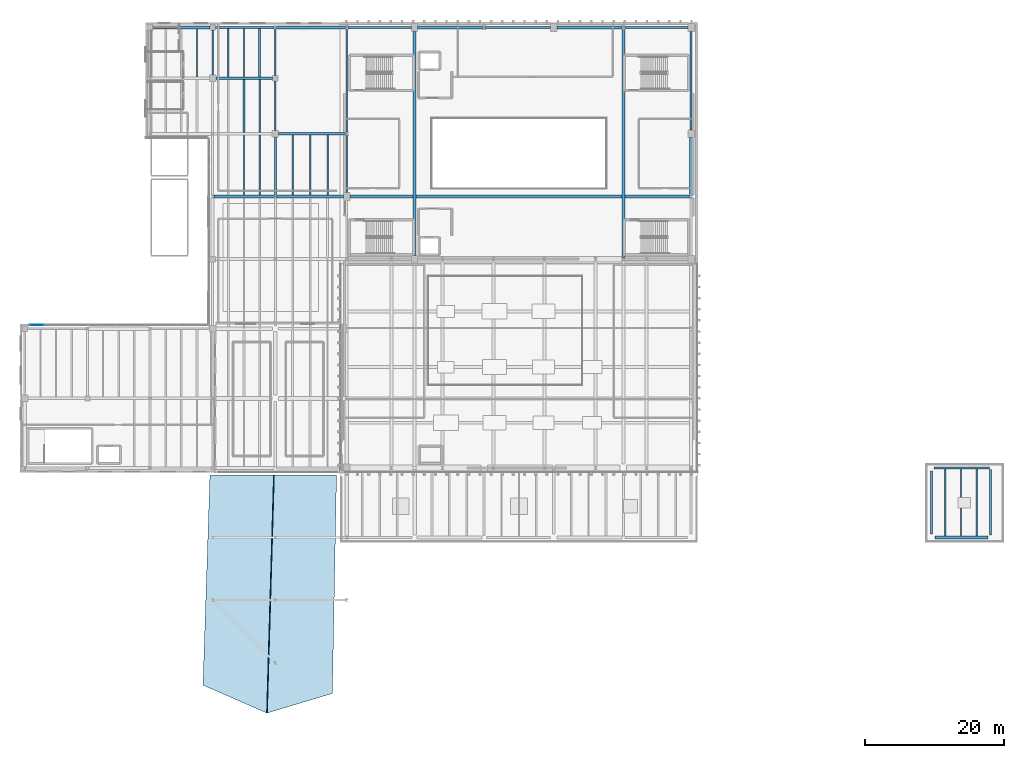
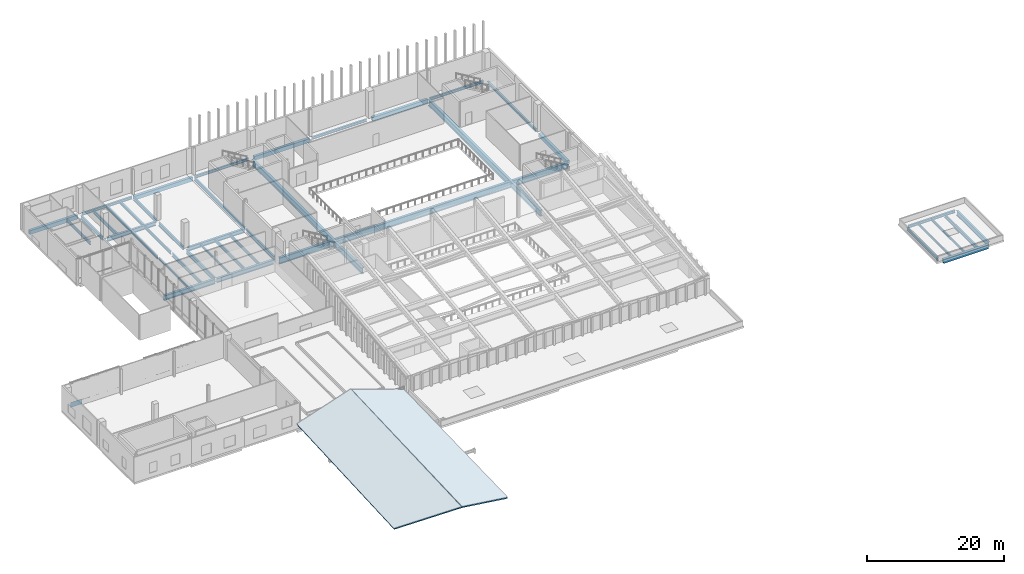
# One storey, part 15 of 30: 41 beams, 2 slabs, 1 plate, 1 element without a shape of its own.
"""IFC4 building model written with IfcOpenShell, lengths in metres."""

from ifc_helpers import new_model, si_unit, direction, frame, origin, origin_2d, place, context, subcontext, project, spatial, polyline, rectangle, i_section, outline, extrude, material, layer, layer_set, material_profile, profile_set, type_object, element, aggregate, save


model = new_model("IFC4")

# Units and contexts
model_context = context("Model", 3, precision=1e-05, world=origin(), true_north=direction((0.0, 1.0)))
body_context = subcontext(model_context, "Body", "Model", "MODEL_VIEW")
ifc_project = project(units=[si_unit("LENGTHUNIT", "METRE"), si_unit("AREAUNIT", "SQUARE_METRE"), si_unit("VOLUMEUNIT", "CUBIC_METRE"), si_unit("PLANEANGLEUNIT", "RADIAN"), si_unit("MASSUNIT", "GRAM", prefix="KILO")], contexts=[model_context])

# Site, building, storey
site_placement = place(None, origin())
site = spatial("IfcSite", under=ifc_project, at=site_placement, CompositionType="ELEMENT")
building_placement = place(site_placement, origin())
building = spatial("IfcBuilding", under=site, at=building_placement, Name="Trimount Lyric Opera House", CompositionType="ELEMENT")
storey_placement = place(building_placement, frame((0.0, 0.0, 24.800048828125)))
storey = spatial("IfcBuildingStorey", under=building, at=storey_placement, Name="L05", CompositionType="ELEMENT", Elevation=24.800048828125)

# Beams
ifc_material_1 = material(Name="Steel ASTM A992 Grade 50", Category="steel")
ifc_material_profile_1 = material_profile(ifc_material_1, i_section(OverallWidth=0.40087890625, OverallDepth=0.861083984375, WebThickness=0.019775390625, FlangeThickness=0.032470703125, FilletRadius=0.02001953125, at=origin_2d()), Name="W33X221")
ifc_profile_set_1 = profile_set([ifc_material_profile_1], Name="Steel ASTM A992 Grade 50")
beam_type_1 = type_object("IfcBeamType", Name="B-04", PredefinedType="BEAM", material=ifc_profile_set_1)
beam_1_placement = place(storey_placement, frame((45.18408203125, 93.0, -0.6904296875), z_axis=(1.0, 0.0, 0.0), x_axis=(0.0, 1.0, 0.0)))
element("IfcBeam", 1, at=beam_1_placement, inside=storey, type_object=beam_type_1, Name="L05 girder X-1277", PredefinedType="BEAM", context=body_context, shape_type="SweptSolid", body=[
    extrude(i_section(OverallWidth=0.40087890625, OverallDepth=0.861083984375, WebThickness=0.019775390625, FlangeThickness=0.032470703125, FilletRadius=0.02001953125, at=origin_2d()), origin(), (0.0, 0.0, 1.0), 8.663330078125),
])
ifc_material_2 = material(Name="Steel ASTM A992 Grade 50", Category="steel")
ifc_material_profile_2 = material_profile(ifc_material_2, i_section(OverallWidth=0.2919921875, OverallDepth=0.845947265625, WebThickness=0.015380859375, FlangeThickness=0.0244140625, FilletRadius=0.01806640625, at=origin_2d()), Name="W33X141")
ifc_profile_set_2 = profile_set([ifc_material_profile_2], Name="Steel ASTM A992 Grade 50")
beam_type_2 = type_object("IfcBeamType", Name="B-05", PredefinedType="BEAM", material=ifc_profile_set_2)
beam_2_placement = place(storey_placement, frame((156.760009765625, 44.39990234375, -0.713134765625), z_axis=(0.0, 1.0, 0.0), x_axis=(-1.0, 0.0, 0.0)))
element("IfcBeam", 2, at=beam_2_placement, inside=storey, type_object=beam_type_2, Name="L05 girder Y-1337", PredefinedType="BEAM", context=body_context, shape_type="SweptSolid", body=[
    extrude(i_section(OverallWidth=0.2919921875, OverallDepth=0.845947265625, WebThickness=0.015380859375, FlangeThickness=0.0244140625, FilletRadius=0.01806640625, at=origin_2d()), origin(), (0.0, 0.0, 1.0), 9.416015625),
])
ifc_material_3 = material(Name="Steel ASTM A992 Grade 50", Category="steel")
ifc_material_profile_3 = material_profile(ifc_material_3, i_section(OverallWidth=0.382080078125, OverallDepth=0.779052734375, WebThickness=0.01806640625, FlangeThickness=0.0302734375, FilletRadius=0.01904296875, at=origin_2d()), Name="W30X191")
ifc_profile_set_3 = profile_set([ifc_material_profile_3], Name="Steel ASTM A992 Grade 50")
beam_type_3 = type_object("IfcBeamType", Name="B-06", PredefinedType="BEAM", material=ifc_profile_set_3)
beam_3_placement = place(storey_placement, frame((54.152587890625, 93.0, -0.689453125), z_axis=(1.0, 0.0, 0.0), x_axis=(0.0, 1.0, 0.0)))
element("IfcBeam", 3, at=beam_3_placement, inside=storey, type_object=beam_type_3, Name="L05 girder X-1278", PredefinedType="BEAM", context=body_context, shape_type="SweptSolid", body=[
    extrude(i_section(OverallWidth=0.382080078125, OverallDepth=0.779052734375, WebThickness=0.01806640625, FlangeThickness=0.0302734375, FilletRadius=0.01904296875, at=origin_2d()), origin(), (0.0, 0.0, 1.0), 9.657470703125),
])
ifc_material_4 = material(Name="Steel ASTM A992 Grade 50", Category="steel")
ifc_material_profile_4 = material_profile(ifc_material_4, i_section(OverallWidth=0.26708984375, OverallDepth=0.761962890625, WebThickness=0.014404296875, FlangeThickness=0.021484375, FilletRadius=0.01708984375, at=origin_2d()), Name="W30X116")
ifc_profile_set_4 = profile_set([ifc_material_profile_4], Name="Steel ASTM A992 Grade 50")
beam_type_4 = type_object("IfcBeamType", Name="B-07", PredefinedType="BEAM", material=ifc_profile_set_4)
beam_4_placement = place(storey_placement, frame((54.0, 93.153564453125, -0.64111328125), z_axis=(0.0, 1.0, 0.0), x_axis=(-1.0, 0.0, 0.0)))
element("IfcBeam", 4, at=beam_4_placement, inside=storey, type_object=beam_type_4, Name="L05 girder Y-1311", PredefinedType="BEAM", context=body_context, shape_type="SweptSolid", body=[
    extrude(i_section(OverallWidth=0.26708984375, OverallDepth=0.761962890625, WebThickness=0.014404296875, FlangeThickness=0.021484375, FilletRadius=0.01708984375, at=origin_2d()), origin(), (0.0, 0.0, 1.0), 8.396484375),
])
ifc_material_5 = material(Name="Steel ASTM A992 Grade 50", Category="steel")
ifc_material_profile_5 = material_profile(ifc_material_5, i_section(OverallWidth=0.35595703125, OverallDepth=0.700927734375, WebThickness=0.016845703125, FlangeThickness=0.02734375, FilletRadius=0.01806640625, at=origin_2d()), Name="W27X161")
ifc_profile_set_5 = profile_set([ifc_material_profile_5], Name="Steel ASTM A992 Grade 50")
beam_type_5 = type_object("IfcBeamType", Name="B-08", PredefinedType="BEAM", material=ifc_profile_set_5)
beam_5_placement = place(storey_placement, frame((54.449951171875, 102.0, -0.650634765625), z_axis=(1.0, 0.0, 0.0), x_axis=(0.0, 1.0, 0.0)))
element("IfcBeam", 5, at=beam_5_placement, inside=storey, type_object=beam_type_5, Name="L05 girder X-1282", PredefinedType="BEAM", context=body_context, shape_type="SweptSolid", body=[
    extrude(i_section(OverallWidth=0.35595703125, OverallDepth=0.700927734375, WebThickness=0.016845703125, FlangeThickness=0.02734375, FilletRadius=0.01806640625, at=origin_2d()), origin(), (0.0, 0.0, 1.0), 9.59912109375),
])
beam_6_placement = place(storey_placement, frame((45.449951171875, 110.0, -0.610595703125), z_axis=(1.0, 0.0, 0.0), x_axis=(0.0, 1.0, 0.0)))
element("IfcBeam", 6, at=beam_6_placement, inside=storey, type_object=beam_type_5, Name="L05 girder X-1284", PredefinedType="BEAM", context=body_context, shape_type="SweptSolid", body=[
    extrude(i_section(OverallWidth=0.35595703125, OverallDepth=0.700927734375, WebThickness=0.016845703125, FlangeThickness=0.02734375, FilletRadius=0.01806640625, at=origin_2d()), origin(), (0.0, 0.0, 1.0), 8.175048828125),
])
ifc_material_6 = material(Name="Steel ASTM A992 Grade 50", Category="steel")
ifc_material_profile_6 = material_profile(ifc_material_6, i_section(OverallWidth=0.25390625, OverallDepth=0.68798828125, WebThickness=0.01318359375, FlangeThickness=0.02099609375, FilletRadius=0.01611328125, at=origin_2d()), Name="W27X102")
ifc_profile_set_6 = profile_set([ifc_material_profile_6], Name="Steel ASTM A992 Grade 50")
beam_type_6 = type_object("IfcBeamType", Name="B-09", PredefinedType="BEAM", material=ifc_profile_set_6)
beam_7_placement = place(storey_placement, frame((45.0, 110.449951171875, -0.60400390625), z_axis=(0.0, 1.0, 0.0), x_axis=(-1.0, 0.0, 0.0)))
element("IfcBeam", 7, at=beam_7_placement, inside=storey, type_object=beam_type_6, Name="L05 girder Y-1306", PredefinedType="BEAM", context=body_context, shape_type="SweptSolid", body=[
    extrude(i_section(OverallWidth=0.25390625, OverallDepth=0.68798828125, WebThickness=0.01318359375, FlangeThickness=0.02099609375, FilletRadius=0.01611328125, at=origin_2d()), origin(), (0.0, 0.0, 1.0), 6.455078125),
])
beam_8_placement = place(storey_placement, frame((54.0, 102.449951171875, -0.60400390625), z_axis=(0.0, 1.0, 0.0), x_axis=(-1.0, 0.0, 0.0)))
element("IfcBeam", 8, at=beam_8_placement, inside=storey, type_object=beam_type_6, Name="L05 girder Y-1312", PredefinedType="BEAM", context=body_context, shape_type="SweptSolid", body=[
    extrude(i_section(OverallWidth=0.25390625, OverallDepth=0.68798828125, WebThickness=0.01318359375, FlangeThickness=0.02099609375, FilletRadius=0.01611328125, at=origin_2d()), origin(), (0.0, 0.0, 1.0), 7.175048828125),
])
beam_9_placement = place(storey_placement, frame((64.260009765625, 93.550048828125, -0.64404296875), z_axis=(0.0, 1.0, 0.0), x_axis=(-1.0, 0.0, 0.0)))
element("IfcBeam", 9, at=beam_9_placement, inside=storey, type_object=beam_type_6, Name="L05 girder Y-1319", PredefinedType="BEAM", context=body_context, shape_type="SweptSolid", body=[
    extrude(i_section(OverallWidth=0.25390625, OverallDepth=0.68798828125, WebThickness=0.01318359375, FlangeThickness=0.02099609375, FilletRadius=0.01611328125, at=origin_2d()), origin(), (0.0, 0.0, 1.0), 8.217529296875),
])
ifc_material_7 = material(Name="Steel ASTM A992 Grade 50", Category="steel")
ifc_material_profile_7 = material_profile(ifc_material_7, i_section(OverallWidth=0.22998046875, OverallDepth=0.616943359375, WebThickness=0.01318359375, FlangeThickness=0.022216796875, FilletRadius=0.013916015625, at=origin_2d()), Name="W24X94")
ifc_profile_set_7 = profile_set([ifc_material_profile_7], Name="Steel ASTM A992 Grade 50")
beam_type_7 = type_object("IfcBeamType", Name="B-11", PredefinedType="BEAM", material=ifc_profile_set_7)
beam_10_placement = place(storey_placement, frame((54.0, 110.375, -0.568603515625), z_axis=(0.0, 1.0, 0.0), x_axis=(-1.0, 0.0, 0.0)))
element("IfcBeam", 10, at=beam_10_placement, inside=storey, type_object=beam_type_7, Name="L05 girder Y-1313", PredefinedType="BEAM", context=body_context, shape_type="SweptSolid", body=[
    extrude(i_section(OverallWidth=0.22998046875, OverallDepth=0.616943359375, WebThickness=0.01318359375, FlangeThickness=0.022216796875, FilletRadius=0.013916015625, at=origin_2d()), origin(), (0.0, 0.0, 1.0), 6.72705078125),
])
beam_11_placement = place(storey_placement, frame((64.260009765625, 102.232421875, -0.608642578125), z_axis=(0.0, 1.0, 0.0), x_axis=(-1.0, 0.0, 0.0)))
element("IfcBeam", 11, at=beam_11_placement, inside=storey, type_object=beam_type_7, Name="L05 girder Y-1320", PredefinedType="BEAM", context=body_context, shape_type="SweptSolid", body=[
    extrude(i_section(OverallWidth=0.22998046875, OverallDepth=0.616943359375, WebThickness=0.01318359375, FlangeThickness=0.022216796875, FilletRadius=0.013916015625, at=origin_2d()), origin(), (0.0, 0.0, 1.0), 14.815185546875),
])
ifc_material_8 = material(Name="Steel ASTM A992 Grade 50", Category="steel")
ifc_material_profile_8 = material_profile(ifc_material_8, i_section(OverallWidth=0.22802734375, OverallDepth=0.60205078125, WebThickness=0.010498046875, FlangeThickness=0.014892578125, FilletRadius=0.012939453125, at=origin_2d()), Name="W24X68")
ifc_profile_set_8 = profile_set([ifc_material_profile_8], Name="Steel ASTM A992 Grade 50")
beam_type_8 = type_object("IfcBeamType", Name="J-01", PredefinedType="BEAM", material=ifc_profile_set_8)
beam_12_placement = place(storey_placement, frame((51.75, 93.196533203125, -0.56103515625), z_axis=(0.0, 1.0, 0.0), x_axis=(-1.0, 0.0, 0.0)))
element("IfcBeam", 12, at=beam_12_placement, inside=storey, type_object=beam_type_8, Name="L05 composite floor joist 1261", PredefinedType="BEAM", context=body_context, shape_type="SweptSolid", body=[
    extrude(i_section(OverallWidth=0.22802734375, OverallDepth=0.60205078125, WebThickness=0.010498046875, FlangeThickness=0.014892578125, FilletRadius=0.012939453125, at=origin_2d()), origin(), (0.0, 0.0, 1.0), 8.616455078125),
])
beam_13_placement = place(storey_placement, frame((49.5, 102.18701171875, -0.56103515625), z_axis=(0.0, 1.0, 0.0), x_axis=(-1.0, 0.0, 0.0)))
element("IfcBeam", 13, at=beam_13_placement, inside=storey, type_object=beam_type_8, Name="L05 composite floor joist 1263", PredefinedType="BEAM", context=body_context, shape_type="SweptSolid", body=[
    extrude(i_section(OverallWidth=0.22802734375, OverallDepth=0.60205078125, WebThickness=0.010498046875, FlangeThickness=0.014892578125, FilletRadius=0.012939453125, at=origin_2d()), origin(), (0.0, 0.0, 1.0), 7.638916015625),
])
beam_14_placement = place(storey_placement, frame((47.25, 110.174072265625, -0.56103515625), z_axis=(0.0, 1.0, 0.0), x_axis=(-1.0, 0.0, 0.0)))
element("IfcBeam", 14, at=beam_14_placement, inside=storey, type_object=beam_type_8, Name="L05 composite floor joist 1265", PredefinedType="BEAM", context=body_context, shape_type="SweptSolid", body=[
    extrude(i_section(OverallWidth=0.22802734375, OverallDepth=0.60205078125, WebThickness=0.010498046875, FlangeThickness=0.014892578125, FilletRadius=0.012939453125, at=origin_2d()), origin(), (0.0, 0.0, 1.0), 6.968994140625),
])
beam_15_placement = place(storey_placement, frame((59.0, 93.18701171875, -0.56103515625), z_axis=(0.0, 1.0, 0.0), x_axis=(-1.0, 0.0, 0.0)))
element("IfcBeam", 15, at=beam_15_placement, inside=storey, type_object=beam_type_8, Name="L05 composite floor joist 1281", PredefinedType="BEAM", context=body_context, shape_type="SweptSolid", body=[
    extrude(i_section(OverallWidth=0.22802734375, OverallDepth=0.60205078125, WebThickness=0.010498046875, FlangeThickness=0.014892578125, FilletRadius=0.012939453125, at=origin_2d()), origin(), (0.0, 0.0, 1.0), 8.638916015625),
])
beam_16_placement = place(storey_placement, frame((154.75, 44.220947265625, -0.591064453125), z_axis=(0.0, 1.0, 0.0), x_axis=(-1.0, 0.0, 0.0)))
element("IfcBeam", 16, at=beam_16_placement, inside=storey, type_object=beam_type_8, Name="L05 composite floor joist 1300", PredefinedType="BEAM", context=body_context, shape_type="SweptSolid", body=[
    extrude(i_section(OverallWidth=0.22802734375, OverallDepth=0.60205078125, WebThickness=0.010498046875, FlangeThickness=0.014892578125, FilletRadius=0.012939453125, at=origin_2d()), origin(), (0.0, 0.0, 1.0), 9.64208984375),
])
ifc_material_9 = material(Name="Steel ASTM A992 Grade 50", Category="steel")
ifc_material_profile_9 = material_profile(ifc_material_9, i_section(OverallWidth=0.2099609375, OverallDepth=0.532958984375, WebThickness=0.01025390625, FlangeThickness=0.015625, FilletRadius=0.012939453125, at=origin_2d()), Name="W21X62")
ifc_profile_set_9 = profile_set([ifc_material_profile_9], Name="Steel ASTM A992 Grade 50")
beam_type_9 = type_object("IfcBeamType", Name="J-02", PredefinedType="BEAM", material=ifc_profile_set_9)
beam_17_placement = place(storey_placement, frame((42.75, 110.18701171875, -0.526611328125), z_axis=(0.0, 1.0, 0.0), x_axis=(-1.0, 0.0, 0.0)))
element("IfcBeam", 17, at=beam_17_placement, inside=storey, type_object=beam_type_9, Name="L05 composite floor joist 1246", PredefinedType="BEAM", context=body_context, shape_type="SweptSolid", body=[
    extrude(i_section(OverallWidth=0.2099609375, OverallDepth=0.532958984375, WebThickness=0.01025390625, FlangeThickness=0.015625, FilletRadius=0.012939453125, at=origin_2d()), origin(), (0.0, 0.0, 1.0), 6.8720703125),
])
beam_18_placement = place(storey_placement, frame((51.75, 102.18701171875, -0.526611328125), z_axis=(0.0, 1.0, 0.0), x_axis=(-1.0, 0.0, 0.0)))
element("IfcBeam", 18, at=beam_18_placement, inside=storey, type_object=beam_type_9, Name="L05 composite floor joist 1264", PredefinedType="BEAM", context=body_context, shape_type="SweptSolid", body=[
    extrude(i_section(OverallWidth=0.2099609375, OverallDepth=0.532958984375, WebThickness=0.01025390625, FlangeThickness=0.015625, FilletRadius=0.012939453125, at=origin_2d()), origin(), (0.0, 0.0, 1.0), 7.638916015625),
])
beam_19_placement = place(storey_placement, frame((49.5, 110.174072265625, -0.526611328125), z_axis=(0.0, 1.0, 0.0), x_axis=(-1.0, 0.0, 0.0)))
element("IfcBeam", 19, at=beam_19_placement, inside=storey, type_object=beam_type_9, Name="L05 composite floor joist 1266", PredefinedType="BEAM", context=body_context, shape_type="SweptSolid", body=[
    extrude(i_section(OverallWidth=0.2099609375, OverallDepth=0.532958984375, WebThickness=0.01025390625, FlangeThickness=0.015625, FilletRadius=0.012939453125, at=origin_2d()), origin(), (0.0, 0.0, 1.0), 6.968994140625),
])
beam_20_placement = place(storey_placement, frame((61.5, 93.18701171875, -0.526611328125), z_axis=(0.0, 1.0, 0.0), x_axis=(-1.0, 0.0, 0.0)))
element("IfcBeam", 20, at=beam_20_placement, inside=storey, type_object=beam_type_9, Name="L05 composite floor joist 1282", PredefinedType="BEAM", context=body_context, shape_type="SweptSolid", body=[
    extrude(i_section(OverallWidth=0.2099609375, OverallDepth=0.532958984375, WebThickness=0.01025390625, FlangeThickness=0.015625, FilletRadius=0.012939453125, at=origin_2d()), origin(), (0.0, 0.0, 1.0), 8.638916015625),
])
ifc_material_10 = material(Name="Steel ASTM A992 Grade 50", Category="steel")
ifc_material_profile_10 = material_profile(ifc_material_10, i_section(OverallWidth=0.281982421875, OverallDepth=0.467041015625, WebThickness=0.01220703125, FlangeThickness=0.01953125, FilletRadius=0.012939453125, at=origin_2d()), Name="W18X86")
ifc_profile_set_10 = profile_set([ifc_material_profile_10], Name="Steel ASTM A992 Grade 50")
beam_type_10 = type_object("IfcBeamType", Name="J-03", PredefinedType="BEAM", material=ifc_profile_set_10)
beam_21_placement = place(storey_placement, frame((51.75, 110.174072265625, -0.49365234375), z_axis=(0.0, 1.0, 0.0), x_axis=(-1.0, 0.0, 0.0)))
element("IfcBeam", 21, at=beam_21_placement, inside=storey, type_object=beam_type_10, Name="L05 composite floor joist 1267", PredefinedType="BEAM", context=body_context, shape_type="SweptSolid", body=[
    extrude(i_section(OverallWidth=0.281982421875, OverallDepth=0.467041015625, WebThickness=0.01220703125, FlangeThickness=0.01953125, FilletRadius=0.012939453125, at=origin_2d()), origin(), (0.0, 0.0, 1.0), 6.968994140625),
])
ifc_material_11 = material(Name="Steel ASTM A992 Grade 50", Category="steel")
ifc_material_profile_11 = material_profile(ifc_material_11, i_section(OverallWidth=0.180908203125, OverallDepth=0.4169921875, WebThickness=0.010986328125, FlangeThickness=0.018310546875, FilletRadius=0.010986328125, at=origin_2d()), Name="W16X57")
ifc_profile_set_11 = profile_set([ifc_material_profile_11], Name="Steel ASTM A992 Grade 50")
beam_type_11 = type_object("IfcBeamType", Name="J-05", PredefinedType="BEAM", material=ifc_profile_set_11)
beam_22_placement = place(storey_placement, frame((150.25, 44.220947265625, -0.49853515625), z_axis=(0.0, 1.0, 0.0), x_axis=(-1.0, 0.0, 0.0)))
element("IfcBeam", 22, at=beam_22_placement, inside=storey, type_object=beam_type_11, Name="L05 composite floor joist 1298", PredefinedType="BEAM", context=body_context, shape_type="SweptSolid", body=[
    extrude(i_section(OverallWidth=0.180908203125, OverallDepth=0.4169921875, WebThickness=0.010986328125, FlangeThickness=0.018310546875, FilletRadius=0.010986328125, at=origin_2d()), origin(), (0.0, 0.0, 1.0), 9.64208984375),
])
ifc_material_12 = material(Name="Steel ASTM A992 Grade 50", Category="steel")
ifc_material_profile_12 = material_profile(ifc_material_12, i_section(OverallWidth=0.177978515625, OverallDepth=0.404052734375, WebThickness=0.007568359375, FlangeThickness=0.010986328125, FilletRadius=0.010009765625, at=origin_2d()), Name="W16X36")
ifc_profile_set_12 = profile_set([ifc_material_profile_12], Name="Steel ASTM A992 Grade 50")
beam_type_12 = type_object("IfcBeamType", Name="J-06", PredefinedType="BEAM", material=ifc_profile_set_12)
beam_23_placement = place(storey_placement, frame((49.5, 93.196533203125, -0.462158203125), z_axis=(0.0, 1.0, 0.0), x_axis=(-1.0, 0.0, 0.0)))
element("IfcBeam", 23, at=beam_23_placement, inside=storey, type_object=beam_type_12, Name="L05 composite floor joist 1260", PredefinedType="BEAM", context=body_context, shape_type="SweptSolid", body=[
    extrude(i_section(OverallWidth=0.177978515625, OverallDepth=0.404052734375, WebThickness=0.007568359375, FlangeThickness=0.010986328125, FilletRadius=0.010009765625, at=origin_2d()), origin(), (0.0, 0.0, 1.0), 8.616455078125),
])
beam_24_placement = place(storey_placement, frame((56.5, 93.18701171875, -0.462158203125), z_axis=(0.0, 1.0, 0.0), x_axis=(-1.0, 0.0, 0.0)))
element("IfcBeam", 24, at=beam_24_placement, inside=storey, type_object=beam_type_12, Name="L05 composite floor joist 1280", PredefinedType="BEAM", context=body_context, shape_type="SweptSolid", body=[
    extrude(i_section(OverallWidth=0.177978515625, OverallDepth=0.404052734375, WebThickness=0.007568359375, FlangeThickness=0.010986328125, FilletRadius=0.010009765625, at=origin_2d()), origin(), (0.0, 0.0, 1.0), 8.638916015625),
])
beam_25_placement = place(storey_placement, frame((152.5, 44.220947265625, -0.491943359375), z_axis=(0.0, 1.0, 0.0), x_axis=(-1.0, 0.0, 0.0)))
element("IfcBeam", 25, at=beam_25_placement, inside=storey, type_object=beam_type_12, Name="L05 composite floor joist 1299", PredefinedType="BEAM", context=body_context, shape_type="SweptSolid", body=[
    extrude(i_section(OverallWidth=0.177978515625, OverallDepth=0.404052734375, WebThickness=0.007568359375, FlangeThickness=0.010986328125, FilletRadius=0.010009765625, at=origin_2d()), origin(), (0.0, 0.0, 1.0), 9.64208984375),
])
ifc_material_13 = material(Name="Steel ASTM A992 Grade 50", Category="steel")
ifc_material_profile_13 = material_profile(ifc_material_13, i_section(OverallWidth=0.281982421875, OverallDepth=0.467041015625, WebThickness=0.01220703125, FlangeThickness=0.01953125, FilletRadius=0.012939453125, at=origin_2d()), Name="W18X86")
ifc_profile_set_13 = profile_set([ifc_material_profile_13], Name="Steel ASTM A992 Grade 50")
beam_type_13 = type_object("IfcBeamType", Name="SP-01", PredefinedType="SPANDREL", material=ifc_profile_set_13)
beam_26_placement = place(storey_placement, frame((148.639892578125, 54.0, -0.5234375), z_axis=(1.0, 0.0, 0.0), x_axis=(0.0, 1.0, 0.0)))
element("IfcBeam", 26, at=beam_26_placement, inside=storey, type_object=beam_type_13, Name="L05 girder X-1260", PredefinedType="SPANDREL", context=body_context, shape_type="SweptSolid", body=[
    extrude(i_section(OverallWidth=0.281982421875, OverallDepth=0.467041015625, WebThickness=0.01220703125, FlangeThickness=0.01953125, FilletRadius=0.012939453125, at=origin_2d()), origin(), (0.0, 0.0, 1.0), 7.93359375),
])
beam_27_placement = place(storey_placement, frame((45.375, 117.280029296875, -0.49365234375), z_axis=(1.0, 0.0, 0.0), x_axis=(0.0, 1.0, 0.0)))
element("IfcBeam", 27, at=beam_27_placement, inside=storey, type_object=beam_type_13, Name="L05 girder X-1286", PredefinedType="SPANDREL", context=body_context, shape_type="SweptSolid", body=[
    extrude(i_section(OverallWidth=0.281982421875, OverallDepth=0.467041015625, WebThickness=0.01220703125, FlangeThickness=0.01953125, FilletRadius=0.012939453125, at=origin_2d()), origin(), (0.0, 0.0, 1.0), 8.44091796875),
])
beam_28_placement = place(storey_placement, frame((64.470947265625, 117.280029296875, -0.533447265625), z_axis=(1.0, 0.0, 0.0), x_axis=(0.0, 1.0, 0.0)))
element("IfcBeam", 28, at=beam_28_placement, inside=storey, type_object=beam_type_13, Name="L05 girder X-1288", PredefinedType="SPANDREL", context=body_context, shape_type="SweptSolid", body=[
    extrude(i_section(OverallWidth=0.281982421875, OverallDepth=0.467041015625, WebThickness=0.01220703125, FlangeThickness=0.01953125, FilletRadius=0.012939453125, at=origin_2d()), origin(), (0.0, 0.0, 1.0), 9.0791015625),
])
beam_29_placement = place(storey_placement, frame((84.2109375, 117.280029296875, -0.533447265625), z_axis=(1.0, 0.0, 0.0), x_axis=(0.0, 1.0, 0.0)))
element("IfcBeam", 29, at=beam_29_placement, inside=storey, type_object=beam_type_13, Name="L05 girder X-1290", PredefinedType="SPANDREL", context=body_context, shape_type="SweptSolid", body=[
    extrude(i_section(OverallWidth=0.281982421875, OverallDepth=0.467041015625, WebThickness=0.01220703125, FlangeThickness=0.01953125, FilletRadius=0.012939453125, at=origin_2d()), origin(), (0.0, 0.0, 1.0), 9.339111328125),
])
beam_30_placement = place(storey_placement, frame((104.2109375, 117.280029296875, -0.533447265625), z_axis=(1.0, 0.0, 0.0), x_axis=(0.0, 1.0, 0.0)))
element("IfcBeam", 30, at=beam_30_placement, inside=storey, type_object=beam_type_13, Name="L05 girder X-1292", PredefinedType="SPANDREL", context=body_context, shape_type="SweptSolid", body=[
    extrude(i_section(OverallWidth=0.281982421875, OverallDepth=0.467041015625, WebThickness=0.01220703125, FlangeThickness=0.01953125, FilletRadius=0.012939453125, at=origin_2d()), origin(), (0.0, 0.0, 1.0), 9.0791015625),
])
beam_31_placement = place(storey_placement, frame((113.739990234375, 102.550048828125, -0.533447265625), z_axis=(0.0, 1.0, 0.0), x_axis=(-1.0, 0.0, 0.0)))
element("IfcBeam", 31, at=beam_31_placement, inside=storey, type_object=beam_type_13, Name="L05 girder Y-1335", PredefinedType="SPANDREL", context=body_context, shape_type="SweptSolid", body=[
    extrude(i_section(OverallWidth=0.281982421875, OverallDepth=0.467041015625, WebThickness=0.01220703125, FlangeThickness=0.01953125, FilletRadius=0.012939453125, at=origin_2d()), origin(), (0.0, 0.0, 1.0), 14.179931640625),
])
beam_32_placement = place(storey_placement, frame((148.239990234375, 44.5, -0.5234375), z_axis=(0.0, 1.0, 0.0), x_axis=(-1.0, 0.0, 0.0)))
element("IfcBeam", 32, at=beam_32_placement, inside=storey, type_object=beam_type_13, Name="L05 girder Y-1336", PredefinedType="SPANDREL", context=body_context, shape_type="SweptSolid", body=[
    extrude(i_section(OverallWidth=0.281982421875, OverallDepth=0.467041015625, WebThickness=0.01220703125, FlangeThickness=0.01953125, FilletRadius=0.012939453125, at=origin_2d()), origin(), (0.0, 0.0, 1.0), 9.10009765625),
])
ifc_material_14 = material(Name="Concrete C40/50", Category="concrete")
ifc_material_profile_14 = material_profile(ifc_material_14, rectangle(XDim=0.449951171875, YDim=0.699951171875, at=origin_2d()), Name="RC450X700")
ifc_profile_set_14 = profile_set([ifc_material_profile_14], Name="Concrete C40/50")
beam_type_14 = type_object("IfcBeamType", Name="SP-02", PredefinedType="SPANDREL", material=ifc_profile_set_14)
beam_33_placement = place(storey_placement, frame((148.739990234375, 44.0, -0.64013671875), z_axis=(1.0, 0.0, 0.0), x_axis=(0.0, 1.0, 0.0)))
element("IfcBeam", 33, at=beam_33_placement, inside=storey, type_object=beam_type_14, Name="L05 girder X-1249", PredefinedType="SPANDREL", context=body_context, shape_type="SweptSolid", body=[
    extrude(rectangle(XDim=0.449951171875, YDim=0.699951171875, at=origin_2d()), origin(), (0.0, 0.0, 1.0), 7.6201171875),
])
beam_34_placement = place(storey_placement, frame((36.449951171875, 117.280029296875, -0.610107421875), z_axis=(1.0, 0.0, 0.0), x_axis=(0.0, 1.0, 0.0)))
element("IfcBeam", 34, at=beam_34_placement, inside=storey, type_object=beam_type_14, Name="L05 girder X-1285", PredefinedType="SPANDREL", context=body_context, shape_type="SweptSolid", body=[
    extrude(rectangle(XDim=0.449951171875, YDim=0.699951171875, at=origin_2d()), origin(), (0.0, 0.0, 1.0), 8.175048828125),
])
beam_35_placement = place(storey_placement, frame((54.18408203125, 117.280029296875, -0.650146484375), z_axis=(1.0, 0.0, 0.0), x_axis=(0.0, 1.0, 0.0)))
element("IfcBeam", 35, at=beam_35_placement, inside=storey, type_object=beam_type_14, Name="L05 girder X-1287", PredefinedType="SPANDREL", context=body_context, shape_type="SweptSolid", body=[
    extrude(rectangle(XDim=0.449951171875, YDim=0.699951171875, at=origin_2d()), origin(), (0.0, 0.0, 1.0), 9.864990234375),
])
for number, where, z_axis, x_axis, name in (
    (36, (74.449951171875, 117.280029296875, -0.650146484375), (1.0, 0.0, 0.0), (0.0, 1.0, 0.0), "L05 girder X-1289"),
    (37, (94.449951171875, 117.280029296875, -0.650146484375), (1.0, 0.0, 0.0), (0.0, 1.0, 0.0), "L05 girder X-1291"),
):
    element("IfcBeam", number, at=place(storey_placement, frame(where, z_axis=z_axis, x_axis=x_axis)), inside=storey, type_object=beam_type_14, Name=name, PredefinedType="SPANDREL", context=body_context, shape_type="SweptSolid", body=[
        extrude(rectangle(XDim=0.449951171875, YDim=0.699951171875, at=origin_2d()), origin(), (0.0, 0.0, 1.0), 9.339111328125),
    ])
beam_36_placement = place(storey_placement, frame((113.739990234375, 93.232421875, -0.650146484375), z_axis=(0.0, 1.0, 0.0), x_axis=(-1.0, 0.0, 0.0)))
element("IfcBeam", 38, at=beam_36_placement, inside=storey, type_object=beam_type_14, Name="L05 girder Y-1334", PredefinedType="SPANDREL", context=body_context, shape_type="SweptSolid", body=[
    extrude(rectangle(XDim=0.449951171875, YDim=0.699951171875, at=origin_2d()), origin(), (0.0, 0.0, 1.0), 8.217529296875),
])
ifc_material_15 = material(Name="Steel ASTM A992 Grade 50", Category="steel")
ifc_material_profile_15 = material_profile(ifc_material_15, i_section(OverallWidth=0.404052734375, OverallDepth=1.117919921875, WebThickness=0.026123046875, FlangeThickness=0.044921875, FilletRadius=0.02490234375, at=origin_2d()), Name="W44X335")
ifc_profile_set_15 = profile_set([ifc_material_profile_15], Name="Steel ASTM A992 Grade 50")
beam_type_15 = type_object("IfcBeamType", Name="TG-01", PredefinedType="USERDEFINED", material=ifc_profile_set_15)
beam_37_placement = place(storey_placement, frame((64.7099609375, 93.0, -0.859130859375), z_axis=(1.0, 0.0, 0.0), x_axis=(0.0, 1.0, 0.0)))
element("IfcBeam", 39, at=beam_37_placement, inside=storey, type_object=beam_type_15, Name="L05 girder X-1279", ObjectType="TRANSFER_GIRDER", PredefinedType="USERDEFINED", context=body_context, shape_type="SweptSolid", body=[
    extrude(i_section(OverallWidth=0.404052734375, OverallDepth=1.117919921875, WebThickness=0.026123046875, FlangeThickness=0.044921875, FilletRadius=0.02490234375, at=origin_2d()), origin(), (0.0, 0.0, 1.0), 48.819091796875),
])
ifc_material_16 = material(Name="Steel ASTM A992 Grade 50", Category="steel")
ifc_material_profile_16 = material_profile(ifc_material_16, i_section(OverallWidth=0.427001953125, OverallDepth=1.092041015625, WebThickness=0.031005859375, FlangeThickness=0.055908203125, FilletRadius=0.02490234375, at=origin_2d()), Name="W40X397")
ifc_profile_set_16 = profile_set([ifc_material_profile_16], Name="Steel ASTM A992 Grade 50")
beam_type_16 = type_object("IfcBeamType", Name="TG-02", PredefinedType="USERDEFINED", material=ifc_profile_set_16)
beam_38_placement = place(storey_placement, frame((74.0, 84.550048828125, -0.845947265625), z_axis=(0.0, 1.0, 0.0), x_axis=(-1.0, 0.0, 0.0)))
element("IfcBeam", 40, at=beam_38_placement, inside=storey, type_object=beam_type_16, Name="L05 girder Y-1323", ObjectType="TRANSFER_GIRDER", PredefinedType="USERDEFINED", context=body_context, shape_type="SweptSolid", body=[
    extrude(i_section(OverallWidth=0.427001953125, OverallDepth=1.092041015625, WebThickness=0.031005859375, FlangeThickness=0.055908203125, FilletRadius=0.02490234375, at=origin_2d()), origin(), (0.0, 0.0, 1.0), 32.179931640625),
])
beam_39_placement = place(storey_placement, frame((104.0, 84.232421875, -0.845947265625), z_axis=(0.0, 1.0, 0.0), x_axis=(-1.0, 0.0, 0.0)))
element("IfcBeam", 41, at=beam_39_placement, inside=storey, type_object=beam_type_16, Name="L05 girder Y-1328", ObjectType="TRANSFER_GIRDER", PredefinedType="USERDEFINED", context=body_context, shape_type="SweptSolid", body=[
    extrude(i_section(OverallWidth=0.427001953125, OverallDepth=1.092041015625, WebThickness=0.031005859375, FlangeThickness=0.055908203125, FilletRadius=0.02490234375, at=origin_2d()), origin(), (0.0, 0.0, 1.0), 32.815185546875),
])

# Curtain wall, plate
ifc_material_17 = material(Name="Thermally Broken Aluminium and Low-E Glass", Category="aluminium")
curtain_wall_type = type_object("IfcCurtainWallType", Name="CW-03", PredefinedType="NOTDEFINED", material=ifc_material_17)
curtain_wall_placement = place(storey_placement, origin())
curtain_wall = element("IfcCurtainWall", 42, at=curtain_wall_placement, inside=storey, type_object=curtain_wall_type, Name="L05 curtain wall 337", PredefinedType="NOTDEFINED")
ifc_material_18 = material(Name="Triple Low-E Acoustic Laminated Glass", Category="glass")
ifc_layer_1 = layer(ifc_material_18, 0.035888671875)
ifc_layer_set_1 = layer_set([ifc_layer_1], Name="CWP-01")
plate_type = type_object("IfcPlateType", Name="CWP-01", PredefinedType="CURTAIN_PANEL", material=ifc_layer_set_1)
plate_placement = place(storey_placement, frame((19.736328125, 74.5400390625, 0.134765625), z_axis=(0.0, 0.0, 1.0), x_axis=(1.0, 0.0, 0.0)))
plate = element("IfcPlate", 43, at=plate_placement, type_object=plate_type, Name="CW-03 panel 1.1", PredefinedType="CURTAIN_PANEL", context=body_context, shape_type="SweptSolid", body=[
    extrude(rectangle(XDim=1.982421875, YDim=0.035888671875, at=origin_2d()), origin(), (0.0, 0.0, 1.0), 0.847412109375),
])
aggregate(curtain_wall, [plate])

# Slabs
ifc_material_19 = material(Name="Concrete C35/45", Category="concrete")
ifc_layer_2 = layer(ifc_material_19, 0.2099609375)
ifc_layer_set_2 = layer_set([ifc_layer_2], Name="SL-RF210")
slab_type = type_object("IfcSlabType", Name="SL-RF210", PredefinedType="ROOF", material=ifc_layer_set_2)
slab_1_placement = place(storey_placement, frame((43.60009765625, 22.800048828125, 1.14990234375), z_axis=(-0.317243109544, 0.009277083858, 0.948298869113), x_axis=(0.875071770487, -0.382549523931, 0.296488209271)))
element("IfcSlab", 44, at=slab_1_placement, inside=storey, type_object=slab_type, Name="Chamber recital crystal prism west folded roof", PredefinedType="ROOF", context=body_context, shape_type="SweptSolid", body=[
    extrude(outline(polyline([(0.0, 0.0), (10.456161742120234, 3.3306690738754696e-16), (-1.75194152664159, 31.962460398674114), (-10.666323602364944, 28.27133030953979), (0.0, 0.0)])), origin(), (0.0, 0.0, -1.0), 0.2099609375),
])
slab_2_placement = place(storey_placement, frame((52.85009765625, 18.800048828125, 4.25), z_axis=(0.334520281591, -0.006391932256, 0.942366873572), x_axis=(0.90749591976, 0.271772079748, -0.320298442531)))
element("IfcSlab", 45, at=slab_2_placement, inside=storey, type_object=slab_type, Name="Chamber recital crystal prism east folded roof", PredefinedType="ROOF", context=body_context, shape_type="SweptSolid", body=[
    extrude(outline(polyline([(0.0, 0.0), (10.302929509126713, -3.885780586188048e-16), (19.381132447476862, 30.06493332443463), (10.2414994994422, 32.64603327654836), (0.0, 0.0)])), origin(), (0.0, 0.0, -1.0), 0.2099609375),
])

save(model, "model.ifc")
